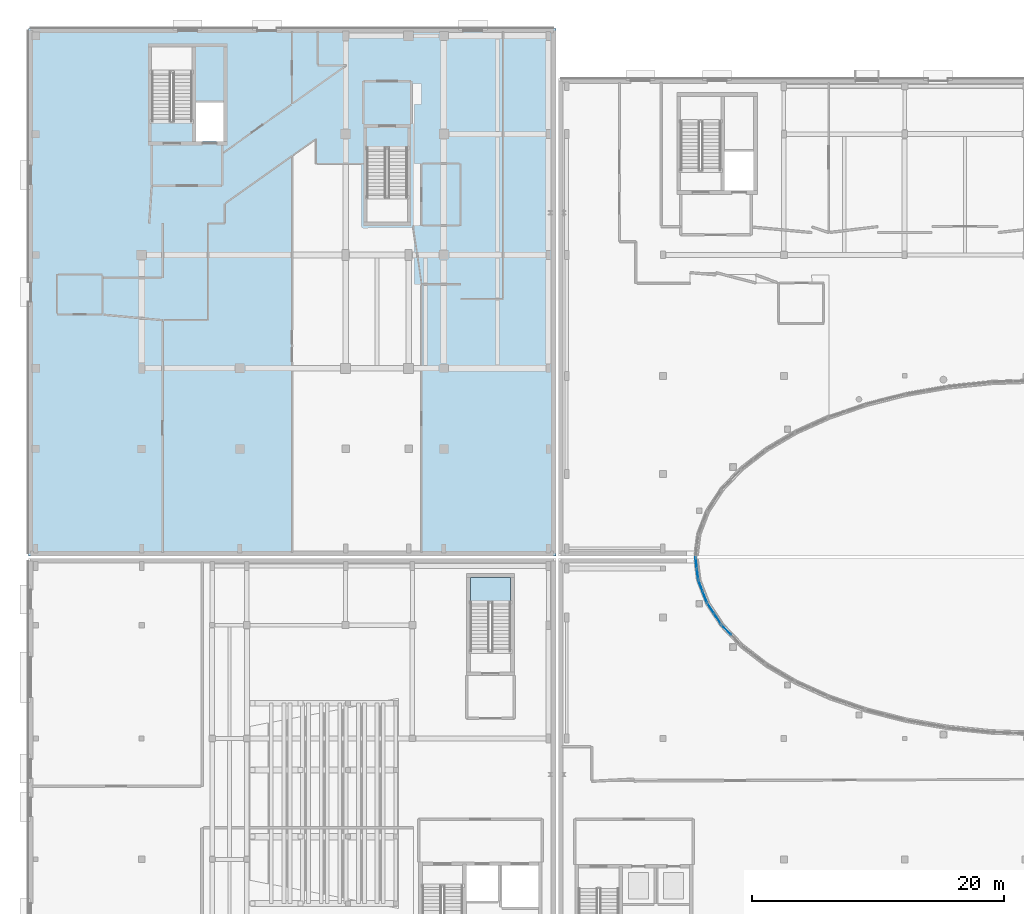
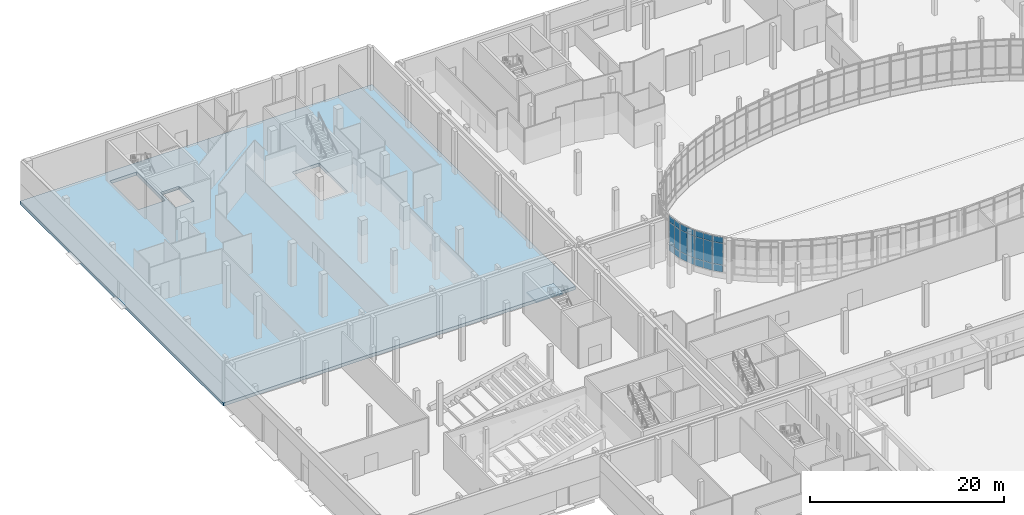
# One storey, part 32 of 84: 21 plates, 2 slabs, 5 elements without a shape of their own.
"""IFC4 building model written with IfcOpenShell, lengths in metres."""

from ifc_helpers import new_model, si_unit, direction, frame, origin, origin_2d, place, context, subcontext, project, spatial, polyline, rectangle, outline, extrude, material, layer, layer_set, type_object, element, aggregate, save


model = new_model("IFC4")

# Units and contexts
model_context = context("Model", 3, precision=1e-05, world=origin(), true_north=direction((0.0, 1.0)))
body_context = subcontext(model_context, "Body", "Model", "MODEL_VIEW")
ifc_project = project(units=[si_unit("LENGTHUNIT", "METRE"), si_unit("AREAUNIT", "SQUARE_METRE"), si_unit("VOLUMEUNIT", "CUBIC_METRE"), si_unit("PLANEANGLEUNIT", "RADIAN"), si_unit("MASSUNIT", "GRAM", prefix="KILO")], contexts=[model_context])

# Site, building, storey
site_placement = place(None, origin())
site = spatial("IfcSite", under=ifc_project, at=site_placement, CompositionType="ELEMENT")
building_placement = place(site_placement, origin())
building = spatial("IfcBuilding", under=site, at=building_placement, Name="Mzevani Central Library", CompositionType="ELEMENT")
storey_placement = place(building_placement, origin())
storey = spatial("IfcBuildingStorey", under=building, at=storey_placement, Name="L00", CompositionType="ELEMENT", Elevation=0.0)

# Curtain wall, plates
ifc_material_1 = material(Name="Thermally broken aluminium and Low-E triple glazing", Category="aluminium")
curtain_wall_type_1 = type_object("IfcCurtainWallType", Name="Reading Hall Northlight Curtain Wall", PredefinedType="NOTDEFINED", material=ifc_material_1)
curtain_wall_1_placement = place(storey_placement, origin())
curtain_wall_1 = element("IfcCurtainWall", 1, at=curtain_wall_1_placement, inside=storey, type_object=curtain_wall_type_1, Name="L00 Elliptical Court Curtain Wall 25", PredefinedType="NOTDEFINED")
ifc_material_2 = material(Name="Thermally broken aluminium AW-6060", Category="aluminium")
ifc_layer_1 = layer(ifc_material_2, 0.0419921875, Name="CW Insulated Spandrel Panel 42")
ifc_layer_set_1 = layer_set([ifc_layer_1], Name="Thermally broken aluminium AW-6060")
plate_type_1 = type_object("IfcPlateType", Name="CW Insulated Spandrel Panel 42", PredefinedType="CURTAIN_PANEL", material=ifc_layer_set_1)
plate_1_placement = place(storey_placement, frame((57.037353515625, 75.5419921875, 0.719970703125), z_axis=(0.0, 0.0, 1.0), x_axis=(0.126167804319, -0.992008913848, 0.0)))
plate_1 = element("IfcPlate", 2, at=plate_1_placement, type_object=plate_type_1, Name="L00 Elliptical Court Curtain Wall 25 Spandrel Panel 1", PredefinedType="CURTAIN_PANEL", context=body_context, shape_type="SweptSolid", body=[
    extrude(rectangle(XDim=0.90869140625, YDim=0.0419921875, at=origin_2d()), origin(), (0.0, 0.0, 1.0), 0.89990234375),
])
plate_2_placement = place(storey_placement, frame((57.152099609375, 74.640380859375, 0.719970703125), z_axis=(0.0, 0.0, 1.0), x_axis=(0.126167804319, -0.992008913848, 0.0)))
plate_2 = element("IfcPlate", 3, at=plate_2_placement, type_object=plate_type_1, Name="L00 Elliptical Court Curtain Wall 25 Spandrel Panel 4", PredefinedType="CURTAIN_PANEL", context=body_context, shape_type="SweptSolid", body=[
    extrude(rectangle(XDim=0.90869140625, YDim=0.0419921875, at=origin_2d()), origin(), (0.0, 0.0, 1.0), 0.89990234375),
])

curtain_wall_type_2 = type_object("IfcCurtainWallType", Name="Elliptical Court Unitised Curtain Wall", PredefinedType="NOTDEFINED", material=ifc_material_1)
curtain_wall_2_placement = place(storey_placement, origin())
curtain_wall_2 = element("IfcCurtainWall", 4, at=curtain_wall_2_placement, inside=storey, type_object=curtain_wall_type_2, Name="L00 Elliptical Court Curtain Wall 26", PredefinedType="NOTDEFINED")
plate_3_placement = place(storey_placement, frame((57.38134765625, 73.731689453125, 0.719970703125), z_axis=(0.0, 0.0, 1.0), x_axis=(0.360061939687, -0.932928400034, 0.0)))
plate_3 = element("IfcPlate", 5, at=plate_3_placement, type_object=plate_type_1, Name="L00 Elliptical Court Curtain Wall 26 Spandrel Panel 1", PredefinedType="CURTAIN_PANEL", context=body_context, shape_type="SweptSolid", body=[
    extrude(rectangle(XDim=0.94970703125, YDim=0.0419921875, at=origin_2d()), origin(), (0.0, 0.0, 1.0), 0.89990234375),
])
plate_4_placement = place(storey_placement, frame((57.723388671875, 72.845703125, 0.719970703125), z_axis=(0.0, 0.0, 1.0), x_axis=(0.360061939687, -0.932928400034, 0.0)))
plate_4 = element("IfcPlate", 6, at=plate_4_placement, type_object=plate_type_1, Name="L00 Elliptical Court Curtain Wall 26 Spandrel Panel 4", PredefinedType="CURTAIN_PANEL", context=body_context, shape_type="SweptSolid", body=[
    extrude(rectangle(XDim=0.94970703125, YDim=0.0419921875, at=origin_2d()), origin(), (0.0, 0.0, 1.0), 0.89990234375),
])

curtain_wall_3_placement = place(storey_placement, origin())
curtain_wall_3 = element("IfcCurtainWall", 7, at=curtain_wall_3_placement, inside=storey, type_object=curtain_wall_type_2, Name="L00 Elliptical Court Curtain Wall 27", PredefinedType="NOTDEFINED")
plate_5_placement = place(storey_placement, frame((58.17822265625, 71.95947265625, 0.719970703125), z_axis=(0.0, 0.0, 1.0), x_axis=(0.550027505766, -0.835146539777, 0.0)))
plate_5 = element("IfcPlate", 8, at=plate_5_placement, type_object=plate_type_1, Name="L00 Elliptical Court Curtain Wall 27 Spandrel Panel 1", PredefinedType="CURTAIN_PANEL", context=body_context, shape_type="SweptSolid", body=[
    extrude(rectangle(XDim=1.0244140625, YDim=0.0419921875, at=origin_2d()), origin(), (0.0, 0.0, 1.0), 0.89990234375),
])
plate_6_placement = place(storey_placement, frame((58.74169921875, 71.10400390625, 0.719970703125), z_axis=(0.0, 0.0, 1.0), x_axis=(0.550027505766, -0.835146539777, 0.0)))
plate_6 = element("IfcPlate", 9, at=plate_6_placement, type_object=plate_type_1, Name="L00 Elliptical Court Curtain Wall 27 Spandrel Panel 4", PredefinedType="CURTAIN_PANEL", context=body_context, shape_type="SweptSolid", body=[
    extrude(rectangle(XDim=1.0244140625, YDim=0.0419921875, at=origin_2d()), origin(), (0.0, 0.0, 1.0), 0.89990234375),
])

# Curtain wall, plate
curtain_wall_4_placement = place(storey_placement, origin())
curtain_wall_4 = element("IfcCurtainWall", 10, at=curtain_wall_4_placement, inside=storey, type_object=curtain_wall_type_1, Name="L00 Elliptical Court Curtain Wall 28", PredefinedType="NOTDEFINED")
plate_7_placement = place(storey_placement, frame((59.41455078125, 70.2548828125, 0.719970703125), z_axis=(0.0, 0.0, 1.0), x_axis=(0.691351660869, -0.722518429532, 0.0)))
plate_7 = element("IfcPlate", 11, at=plate_7_placement, type_object=plate_type_1, Name="L00 Elliptical Court Curtain Wall 28 Spandrel Panel 1", PredefinedType="CURTAIN_PANEL", context=body_context, shape_type="SweptSolid", body=[
    extrude(rectangle(XDim=1.121337890625, YDim=0.0419921875, at=origin_2d()), origin(), (0.0, 0.0, 1.0), 0.89990234375),
])

# Plate
ifc_material_3 = material(Name="Low-E triple glazing glass", Category="glass")
ifc_layer_2 = layer(ifc_material_3, 0.028076171875, Name="CW Triple Glazed Vision Panel 28")
ifc_layer_set_2 = layer_set([ifc_layer_2], Name="Low-E triple glazing glass")
plate_type_2 = type_object("IfcPlateType", Name="CW Triple Glazed Vision Panel 28", PredefinedType="CURTAIN_PANEL", material=ifc_layer_set_2)
plate_8_placement = place(storey_placement, frame((57.037353515625, 75.5419921875, 1.6201171875), z_axis=(0.0, 0.0, 1.0), x_axis=(0.126167804319, -0.992008913848, 0.0)))
plate_8 = element("IfcPlate", 12, at=plate_8_placement, type_object=plate_type_2, Name="L00 Elliptical Court Curtain Wall 25 Vision Panel 2", PredefinedType="CURTAIN_PANEL", context=body_context, shape_type="SweptSolid", body=[
    extrude(rectangle(XDim=0.90869140625, YDim=0.028076171875, at=origin_2d()), origin(), (0.0, 0.0, 1.0), 2.75),
])

plate_9_placement = place(storey_placement, frame((57.037353515625, 75.5419921875, 4.3701171875), z_axis=(0.0, 0.0, 1.0), x_axis=(0.126167804319, -0.992008913848, 0.0)))
plate_9 = element("IfcPlate", 13, at=plate_9_placement, type_object=plate_type_2, Name="L00 Elliptical Court Curtain Wall 25 Vision Panel 3", PredefinedType="CURTAIN_PANEL", context=body_context, shape_type="SweptSolid", body=[
    extrude(rectangle(XDim=0.90869140625, YDim=0.028076171875, at=origin_2d()), origin(), (0.0, 0.0, 1.0), 0.75),
])

plate_10_placement = place(storey_placement, frame((57.152099609375, 74.640380859375, 1.6201171875), z_axis=(0.0, 0.0, 1.0), x_axis=(0.126167804319, -0.992008913848, 0.0)))
plate_10 = element("IfcPlate", 14, at=plate_10_placement, type_object=plate_type_2, Name="L00 Elliptical Court Curtain Wall 25 Vision Panel 5", PredefinedType="CURTAIN_PANEL", context=body_context, shape_type="SweptSolid", body=[
    extrude(rectangle(XDim=0.90869140625, YDim=0.028076171875, at=origin_2d()), origin(), (0.0, 0.0, 1.0), 2.75),
])

plate_11_placement = place(storey_placement, frame((57.152099609375, 74.640380859375, 4.3701171875), z_axis=(0.0, 0.0, 1.0), x_axis=(0.126167804319, -0.992008913848, 0.0)))
plate_11 = element("IfcPlate", 15, at=plate_11_placement, type_object=plate_type_2, Name="L00 Elliptical Court Curtain Wall 25 Vision Panel 6", PredefinedType="CURTAIN_PANEL", context=body_context, shape_type="SweptSolid", body=[
    extrude(rectangle(XDim=0.90869140625, YDim=0.028076171875, at=origin_2d()), origin(), (0.0, 0.0, 1.0), 0.75),
])

aggregate(curtain_wall_1, [plate_1, plate_8, plate_9, plate_2, plate_10, plate_11])

plate_12_placement = place(storey_placement, frame((57.38134765625, 73.731689453125, 1.6201171875), z_axis=(0.0, 0.0, 1.0), x_axis=(0.360061939687, -0.932928400034, 0.0)))
plate_12 = element("IfcPlate", 16, at=plate_12_placement, type_object=plate_type_2, Name="L00 Elliptical Court Curtain Wall 26 Vision Panel 2", PredefinedType="CURTAIN_PANEL", context=body_context, shape_type="SweptSolid", body=[
    extrude(rectangle(XDim=0.94970703125, YDim=0.028076171875, at=origin_2d()), origin(), (0.0, 0.0, 1.0), 2.75),
])

plate_13_placement = place(storey_placement, frame((57.38134765625, 73.731689453125, 4.3701171875), z_axis=(0.0, 0.0, 1.0), x_axis=(0.360061939687, -0.932928400034, 0.0)))
plate_13 = element("IfcPlate", 17, at=plate_13_placement, type_object=plate_type_2, Name="L00 Elliptical Court Curtain Wall 26 Vision Panel 3", PredefinedType="CURTAIN_PANEL", context=body_context, shape_type="SweptSolid", body=[
    extrude(rectangle(XDim=0.94970703125, YDim=0.028076171875, at=origin_2d()), origin(), (0.0, 0.0, 1.0), 0.75),
])

plate_14_placement = place(storey_placement, frame((57.723388671875, 72.845703125, 1.6201171875), z_axis=(0.0, 0.0, 1.0), x_axis=(0.360061939687, -0.932928400034, 0.0)))
plate_14 = element("IfcPlate", 18, at=plate_14_placement, type_object=plate_type_2, Name="L00 Elliptical Court Curtain Wall 26 Vision Panel 5", PredefinedType="CURTAIN_PANEL", context=body_context, shape_type="SweptSolid", body=[
    extrude(rectangle(XDim=0.94970703125, YDim=0.028076171875, at=origin_2d()), origin(), (0.0, 0.0, 1.0), 2.75),
])

plate_15_placement = place(storey_placement, frame((57.723388671875, 72.845703125, 4.3701171875), z_axis=(0.0, 0.0, 1.0), x_axis=(0.360061939687, -0.932928400034, 0.0)))
plate_15 = element("IfcPlate", 19, at=plate_15_placement, type_object=plate_type_2, Name="L00 Elliptical Court Curtain Wall 26 Vision Panel 6", PredefinedType="CURTAIN_PANEL", context=body_context, shape_type="SweptSolid", body=[
    extrude(rectangle(XDim=0.94970703125, YDim=0.028076171875, at=origin_2d()), origin(), (0.0, 0.0, 1.0), 0.75),
])

aggregate(curtain_wall_2, [plate_3, plate_12, plate_13, plate_4, plate_14, plate_15])

plate_16_placement = place(storey_placement, frame((58.17822265625, 71.95947265625, 1.6201171875), z_axis=(0.0, 0.0, 1.0), x_axis=(0.550027505766, -0.835146539777, 0.0)))
plate_16 = element("IfcPlate", 20, at=plate_16_placement, type_object=plate_type_2, Name="L00 Elliptical Court Curtain Wall 27 Vision Panel 2", PredefinedType="CURTAIN_PANEL", context=body_context, shape_type="SweptSolid", body=[
    extrude(rectangle(XDim=1.0244140625, YDim=0.028076171875, at=origin_2d()), origin(), (0.0, 0.0, 1.0), 2.75),
])

plate_17_placement = place(storey_placement, frame((58.17822265625, 71.95947265625, 4.3701171875), z_axis=(0.0, 0.0, 1.0), x_axis=(0.550027505766, -0.835146539777, 0.0)))
plate_17 = element("IfcPlate", 21, at=plate_17_placement, type_object=plate_type_2, Name="L00 Elliptical Court Curtain Wall 27 Vision Panel 3", PredefinedType="CURTAIN_PANEL", context=body_context, shape_type="SweptSolid", body=[
    extrude(rectangle(XDim=1.0244140625, YDim=0.028076171875, at=origin_2d()), origin(), (0.0, 0.0, 1.0), 0.75),
])

plate_18_placement = place(storey_placement, frame((58.74169921875, 71.10400390625, 1.6201171875), z_axis=(0.0, 0.0, 1.0), x_axis=(0.550027505766, -0.835146539777, 0.0)))
plate_18 = element("IfcPlate", 22, at=plate_18_placement, type_object=plate_type_2, Name="L00 Elliptical Court Curtain Wall 27 Vision Panel 5", PredefinedType="CURTAIN_PANEL", context=body_context, shape_type="SweptSolid", body=[
    extrude(rectangle(XDim=1.0244140625, YDim=0.028076171875, at=origin_2d()), origin(), (0.0, 0.0, 1.0), 2.75),
])

plate_19_placement = place(storey_placement, frame((58.74169921875, 71.10400390625, 4.3701171875), z_axis=(0.0, 0.0, 1.0), x_axis=(0.550027505766, -0.835146539777, 0.0)))
plate_19 = element("IfcPlate", 23, at=plate_19_placement, type_object=plate_type_2, Name="L00 Elliptical Court Curtain Wall 27 Vision Panel 6", PredefinedType="CURTAIN_PANEL", context=body_context, shape_type="SweptSolid", body=[
    extrude(rectangle(XDim=1.0244140625, YDim=0.028076171875, at=origin_2d()), origin(), (0.0, 0.0, 1.0), 0.75),
])

aggregate(curtain_wall_3, [plate_5, plate_16, plate_17, plate_6, plate_18, plate_19])

plate_20_placement = place(storey_placement, frame((59.41455078125, 70.2548828125, 1.6201171875), z_axis=(0.0, 0.0, 1.0), x_axis=(0.691351660869, -0.722518429532, 0.0)))
plate_20 = element("IfcPlate", 24, at=plate_20_placement, type_object=plate_type_2, Name="L00 Elliptical Court Curtain Wall 28 Vision Panel 2", PredefinedType="CURTAIN_PANEL", context=body_context, shape_type="SweptSolid", body=[
    extrude(rectangle(XDim=1.121337890625, YDim=0.028076171875, at=origin_2d()), origin(), (0.0, 0.0, 1.0), 2.75),
])

plate_21_placement = place(storey_placement, frame((59.41455078125, 70.2548828125, 4.3701171875), z_axis=(0.0, 0.0, 1.0), x_axis=(0.691351660869, -0.722518429532, 0.0)))
plate_21 = element("IfcPlate", 25, at=plate_21_placement, type_object=plate_type_2, Name="L00 Elliptical Court Curtain Wall 28 Vision Panel 3", PredefinedType="CURTAIN_PANEL", context=body_context, shape_type="SweptSolid", body=[
    extrude(rectangle(XDim=1.121337890625, YDim=0.028076171875, at=origin_2d()), origin(), (0.0, 0.0, 1.0), 0.75),
])

aggregate(curtain_wall_4, [plate_7, plate_20, plate_21])

# Slab
ifc_material_4 = material(Name="Concrete C40/50", Category="concrete")
ifc_layer_3 = layer(ifc_material_4, 0.320068359375, Name="Compact Stack Floor Slab 320")
ifc_layer_set_3 = layer_set([ifc_layer_3], Name="Concrete C40/50")
slab_type_1 = type_object("IfcSlabType", Name="Compact Stack Floor Slab 320", PredefinedType="FLOOR", material=ifc_layer_set_3)
slab_1_placement = place(storey_placement, frame((0.0, 0.0, -0.39990234375)))
element("IfcSlab", 26, at=slab_1_placement, inside=storey, type_object=slab_type_1, Name="L00 V2 Structural Slab FS-04", PredefinedType="FLOOR", context=body_context, shape_type="SweptSolid", body=[
    extrude(outline(polyline([(45.89990234375, 76.10009765625), (4.0, 76.10009765625), (4.0, 118.0), (45.89990234375, 118.0), (45.89990234375, 76.10009765625)]), holes=[polyline([(17.0, 110.60009765625), (17.0, 116.5), (13.800048828125, 116.5), (13.800048828125, 110.60009765625), (17.0, 110.60009765625)]), polyline([(17.300048828125, 109.0), (19.5, 109.0), (19.5, 112.10009765625), (17.300048828125, 112.10009765625), (17.300048828125, 109.0)]), polyline([(30.89990234375, 108.5), (30.89990234375, 102.60009765625), (34.10009765625, 102.60009765625), (34.10009765625, 108.5), (30.89990234375, 108.5)])]), origin(), (0.0, 0.0, 1.0), 0.39990234375),
])

# Stair, slab
ifc_material_5 = material(Name="Concrete C35/45", Category="concrete")
stair_type = type_object("IfcStairType", Name="Dogleg Exit Stair 180x280", PredefinedType="HALF_TURN_STAIR", material=ifc_material_5)
stair_placement = place(storey_placement, origin())
stair = element("IfcStair", 27, at=stair_placement, inside=storey, type_object=stair_type, Name="L00 Core C5B Lecture North Escape Stair Exit Stair ST-01", PredefinedType="HALF_TURN_STAIR")
ifc_layer_4 = layer(ifc_material_5, 0.199951171875, Name="Stair Landing Slab 200")
ifc_layer_set_4 = layer_set([ifc_layer_4], Name="Concrete C35/45")
slab_type_2 = type_object("IfcSlabType", Name="Stair Landing Slab 200", PredefinedType="LANDING", material=ifc_layer_set_4)
slab_2_placement = place(storey_placement, frame((0.0, 0.0, 2.5)))
slab_2 = element("IfcSlab", 28, at=slab_2_placement, type_object=slab_type_2, Name="ST-10 landing 1", PredefinedType="LANDING", context=body_context, shape_type="SweptSolid", body=[
    extrude(outline(polyline([(42.300048828125, 72.419921875), (42.300048828125, 74.39990234375), (39.10009765625, 74.39990234375), (39.10009765625, 72.419921875), (42.300048828125, 72.419921875)])), origin(), (0.0, 0.0, 1.0), 0.199951171875),
])
aggregate(stair, [slab_2])

save(model, "model.ifc")
